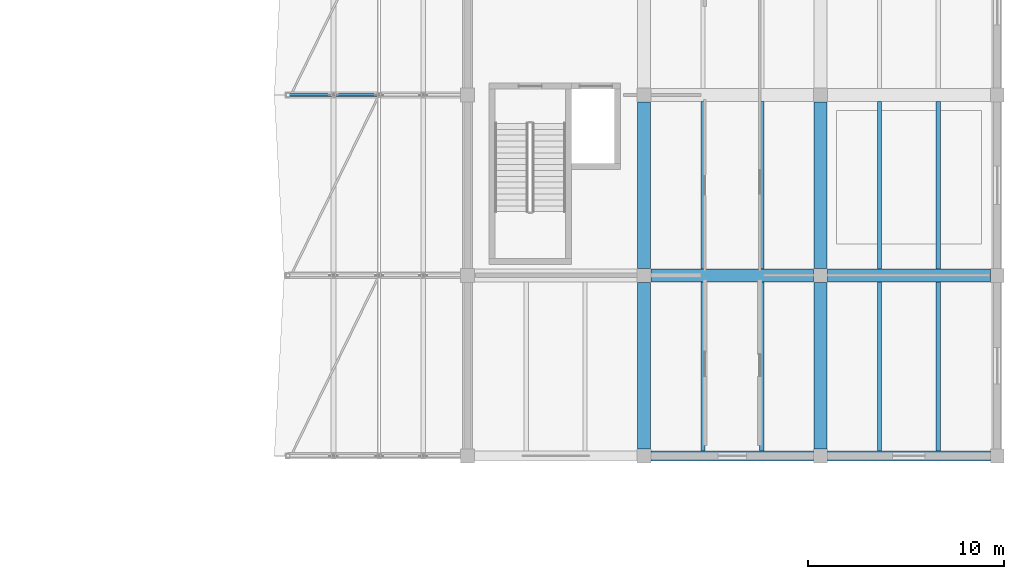
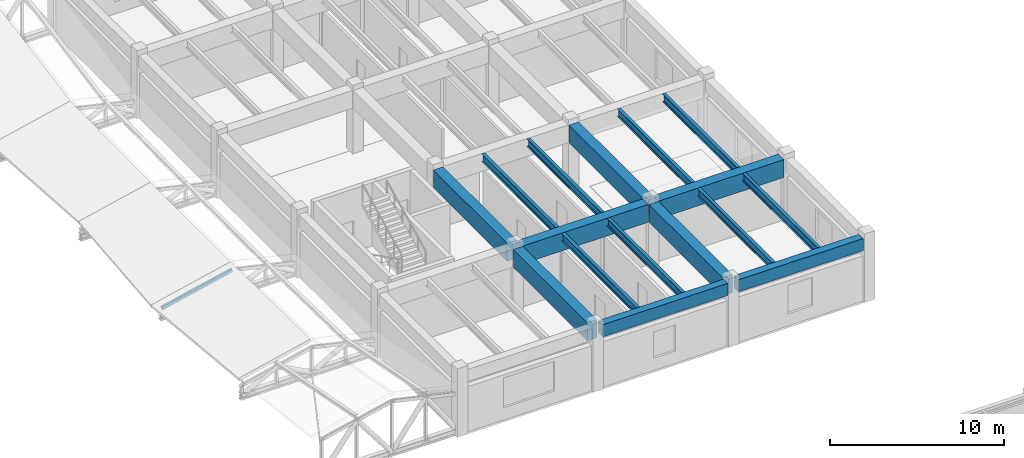
# One storey, part 42 of 90: 16 beams, 1 member.
"""IFC4 building model written with IfcOpenShell, lengths in metres."""

from ifc_helpers import new_model, si_unit, direction, frame, origin, origin_2d, place, context, subcontext, project, spatial, rectangle, hollow_rectangle, i_section, extrude, material, material_profile, profile_set, type_object, element, save


model = new_model("IFC4")

# Units and contexts
model_context = context("Model", 3, precision=1e-05, world=origin(), true_north=direction((0.0, 1.0)))
body_context = subcontext(model_context, "Body", "Model", "MODEL_VIEW")
ifc_project = project(units=[si_unit("LENGTHUNIT", "METRE"), si_unit("AREAUNIT", "SQUARE_METRE"), si_unit("VOLUMEUNIT", "CUBIC_METRE"), si_unit("PLANEANGLEUNIT", "RADIAN"), si_unit("MASSUNIT", "GRAM", prefix="KILO")], contexts=[model_context])

# Site, building, storey
site_placement = place(None, origin())
site = spatial("IfcSite", under=ifc_project, at=site_placement, CompositionType="ELEMENT")
building_placement = place(site_placement, origin())
building = spatial("IfcBuilding", under=site, at=building_placement, Name="Bozkorgan Art Gallery", CompositionType="ELEMENT")
storey_placement = place(building_placement, frame((0.0, 0.0, 5.39990234375)))
storey = spatial("IfcBuildingStorey", under=building, at=storey_placement, Name="L01", CompositionType="ELEMENT", Elevation=5.39990234375)

# Beams
ifc_material_1 = material(Name="Concrete C35/45", Category="concrete")
ifc_material_profile_1 = material_profile(ifc_material_1, rectangle(XDim=0.64990234375, YDim=1.25, at=origin_2d()), Name="RC 650x1250")
ifc_profile_set_1 = profile_set([ifc_material_profile_1], Name="Concrete C35/45")
beam_type_1 = type_object("IfcBeamType", Name="BEAM-BM-54", PredefinedType="BEAM", material=ifc_profile_set_1)
for number, where, z_axis, x_axis, name in (
    (1, (146.35009765625, 75.199951171875, 3.815185546875), (1.0, 0.0, 0.0), (0.0, 1.0, 0.0), "V5 L01 beam X (146-155, 75.2)"),
    (2, (155.35009765625, 75.199951171875, 3.815185546875), (1.0, 0.0, 0.0), (0.0, 1.0, 0.0), "V5 L01 beam X (155-164, 75.2)"),
):
    element("IfcBeam", number, at=place(storey_placement, frame(where, z_axis=z_axis, x_axis=x_axis)), inside=storey, type_object=beam_type_1, Name=name, PredefinedType="BEAM", context=body_context, shape_type="SweptSolid", body=[
        extrude(rectangle(XDim=0.64990234375, YDim=1.25, at=origin_2d()), origin(), (0.0, 0.0, 1.0), 8.2998046875),
    ])
for number, where, z_axis, x_axis, name in (
    (3, (146.0, 66.35009765625, 3.815185546875), (0.0, 1.0, 0.0), (-1.0, 0.0, 0.0), "V5 L01 beam Y (146, 66.0-75.2)"),
    (4, (146.0, 75.550048828125, 3.815185546875), (0.0, 1.0, 0.0), (-1.0, 0.0, 0.0), "V5 L01 beam Y (146, 75.2-84.4)"),
    (5, (155.0, 66.35009765625, 3.815185546875), (0.0, 1.0, 0.0), (-1.0, 0.0, 0.0), "V5 L01 beam Y (155, 66.0-75.2)"),
    (6, (155.0, 75.550048828125, 3.815185546875), (0.0, 1.0, 0.0), (-1.0, 0.0, 0.0), "V5 L01 beam Y (155, 75.2-84.4)"),
):
    element("IfcBeam", number, at=place(storey_placement, frame(where, z_axis=z_axis, x_axis=x_axis)), inside=storey, type_object=beam_type_1, Name=name, PredefinedType="BEAM", context=body_context, shape_type="SweptSolid", body=[
        extrude(rectangle(XDim=0.64990234375, YDim=1.25, at=origin_2d()), origin(), (0.0, 0.0, 1.0), 8.5),
    ])
ifc_material_2 = material(Name="Steel S355J2", Category="steel")
ifc_material_profile_2 = material_profile(ifc_material_2, i_section(OverallWidth=0.2099609375, OverallDepth=0.550048828125, WebThickness=0.010986328125, FlangeThickness=0.01708984375, FilletRadius=0.02392578125, at=origin_2d()), Name="IPE 550")
ifc_profile_set_2 = profile_set([ifc_material_profile_2], Name="Steel S355J2")
beam_type_2 = type_object("IfcBeamType", Name="BEAM-JS-62", PredefinedType="JOIST", material=ifc_profile_set_2)
for number, where, z_axis, x_axis, name in (
    (7, (149.0, 66.25, 4.1650390625), (0.0, 1.0, 0.0), (-1.0, 0.0, 0.0), "V5 L01 secondary joist (146-155, 66.0-75.2) #1"),
    (8, (152.0, 66.25, 4.1650390625), (0.0, 1.0, 0.0), (-1.0, 0.0, 0.0), "V5 L01 secondary joist (146-155, 66.0-75.2) #2"),
):
    element("IfcBeam", number, at=place(storey_placement, frame(where, z_axis=z_axis, x_axis=x_axis)), inside=storey, type_object=beam_type_2, Name=name, PredefinedType="JOIST", context=body_context, shape_type="SweptSolid", body=[
        extrude(i_section(OverallWidth=0.2099609375, OverallDepth=0.550048828125, WebThickness=0.010986328125, FlangeThickness=0.01708984375, FilletRadius=0.02392578125, at=origin_2d()), origin(), (0.0, 0.0, 1.0), 8.625),
    ])
for number, where, z_axis, x_axis, name in (
    (9, (149.0, 75.52490234375, 4.1650390625), (0.0, 1.0, 0.0), (-1.0, 0.0, 0.0), "V5 L01 secondary joist (146-155, 75.2-84.4) #1"),
    (10, (152.0, 75.52490234375, 4.1650390625), (0.0, 1.0, 0.0), (-1.0, 0.0, 0.0), "V5 L01 secondary joist (146-155, 75.2-84.4) #2"),
):
    element("IfcBeam", number, at=place(storey_placement, frame(where, z_axis=z_axis, x_axis=x_axis)), inside=storey, type_object=beam_type_2, Name=name, PredefinedType="JOIST", context=body_context, shape_type="SweptSolid", body=[
        extrude(i_section(OverallWidth=0.2099609375, OverallDepth=0.550048828125, WebThickness=0.010986328125, FlangeThickness=0.01708984375, FilletRadius=0.02392578125, at=origin_2d()), origin(), (0.0, 0.0, 1.0), 8.550048828125),
    ])
for number, where, z_axis, x_axis, name in (
    (11, (158.0, 66.25, 4.1650390625), (0.0, 1.0, 0.0), (-1.0, 0.0, 0.0), "V5 L01 secondary joist (155-164, 66.0-75.2) #1"),
    (12, (161.0, 66.25, 4.1650390625), (0.0, 1.0, 0.0), (-1.0, 0.0, 0.0), "V5 L01 secondary joist (155-164, 66.0-75.2) #2"),
):
    element("IfcBeam", number, at=place(storey_placement, frame(where, z_axis=z_axis, x_axis=x_axis)), inside=storey, type_object=beam_type_2, Name=name, PredefinedType="JOIST", context=body_context, shape_type="SweptSolid", body=[
        extrude(i_section(OverallWidth=0.2099609375, OverallDepth=0.550048828125, WebThickness=0.010986328125, FlangeThickness=0.01708984375, FilletRadius=0.02392578125, at=origin_2d()), origin(), (0.0, 0.0, 1.0), 8.625),
    ])
for number, where, z_axis, x_axis, name in (
    (13, (158.0, 75.52490234375, 4.1650390625), (0.0, 1.0, 0.0), (-1.0, 0.0, 0.0), "V5 L01 secondary joist (155-164, 75.2-84.4) #1"),
    (14, (161.0, 75.52490234375, 4.1650390625), (0.0, 1.0, 0.0), (-1.0, 0.0, 0.0), "V5 L01 secondary joist (155-164, 75.2-84.4) #2"),
):
    element("IfcBeam", number, at=place(storey_placement, frame(where, z_axis=z_axis, x_axis=x_axis)), inside=storey, type_object=beam_type_2, Name=name, PredefinedType="JOIST", context=body_context, shape_type="SweptSolid", body=[
        extrude(i_section(OverallWidth=0.2099609375, OverallDepth=0.550048828125, WebThickness=0.010986328125, FlangeThickness=0.01708984375, FilletRadius=0.02392578125, at=origin_2d()), origin(), (0.0, 0.0, 1.0), 8.550048828125),
    ])
ifc_material_profile_3 = material_profile(ifc_material_1, rectangle(XDim=0.5, YDim=0.85009765625, at=origin_2d()), Name="RC 500x850")
ifc_profile_set_3 = profile_set([ifc_material_profile_3], Name="Concrete C35/45")
beam_type_3 = type_object("IfcBeamType", Name="BEAM-SP-30", PredefinedType="SPANDREL", material=ifc_profile_set_3)
for number, where, z_axis, x_axis, name in (
    (15, (146.35009765625, 66.0, 4.01513671875), (1.0, 0.0, 0.0), (0.0, 1.0, 0.0), "V5 L01 spandrel X (146-155, 66.0)"),
    (16, (155.35009765625, 66.0, 4.01513671875), (1.0, 0.0, 0.0), (0.0, 1.0, 0.0), "V5 L01 spandrel X (155-164, 66.0)"),
):
    element("IfcBeam", number, at=place(storey_placement, frame(where, z_axis=z_axis, x_axis=x_axis)), inside=storey, type_object=beam_type_3, Name=name, PredefinedType="SPANDREL", context=body_context, shape_type="SweptSolid", body=[
        extrude(rectangle(XDim=0.5, YDim=0.85009765625, at=origin_2d()), origin(), (0.0, 0.0, 1.0), 8.2998046875),
    ])

# Member
ifc_material_profile_4 = material_profile(ifc_material_2, hollow_rectangle(XDim=0.14990234375, YDim=0.25, WallThickness=0.010009765625, InnerFilletRadius=0.014892578125, OuterFilletRadius=0.02490234375, at=origin_2d()), Name="RHS 250x150x10")
ifc_profile_set_4 = profile_set([ifc_material_profile_4], Name="Steel S355J2")
member_type = type_object("IfcMemberType", Name="MEMBER-TC-35", PredefinedType="CHORD", material=ifc_profile_set_4)
member_placement = place(storey_placement, frame((127.85009765625, 84.39990234375, 0.782958984375), z_axis=(0.975150958549, 0.0, 0.221541436398), x_axis=(0.0, 1.0, 0.0)))
element("IfcMember", 17, at=member_placement, inside=storey, type_object=member_type, Name="ROOF-V5-DOCK roof truss 3 west top chord", PredefinedType="CHORD", context=body_context, shape_type="SweptSolid", body=[
    extrude(hollow_rectangle(XDim=0.14990234375, YDim=0.25, WallThickness=0.010009765625, InnerFilletRadius=0.014892578125, OuterFilletRadius=0.02490234375, at=origin_2d()), origin(), (0.0, 0.0, 1.0), 4.768310546875),
])

save(model, "model.ifc")
